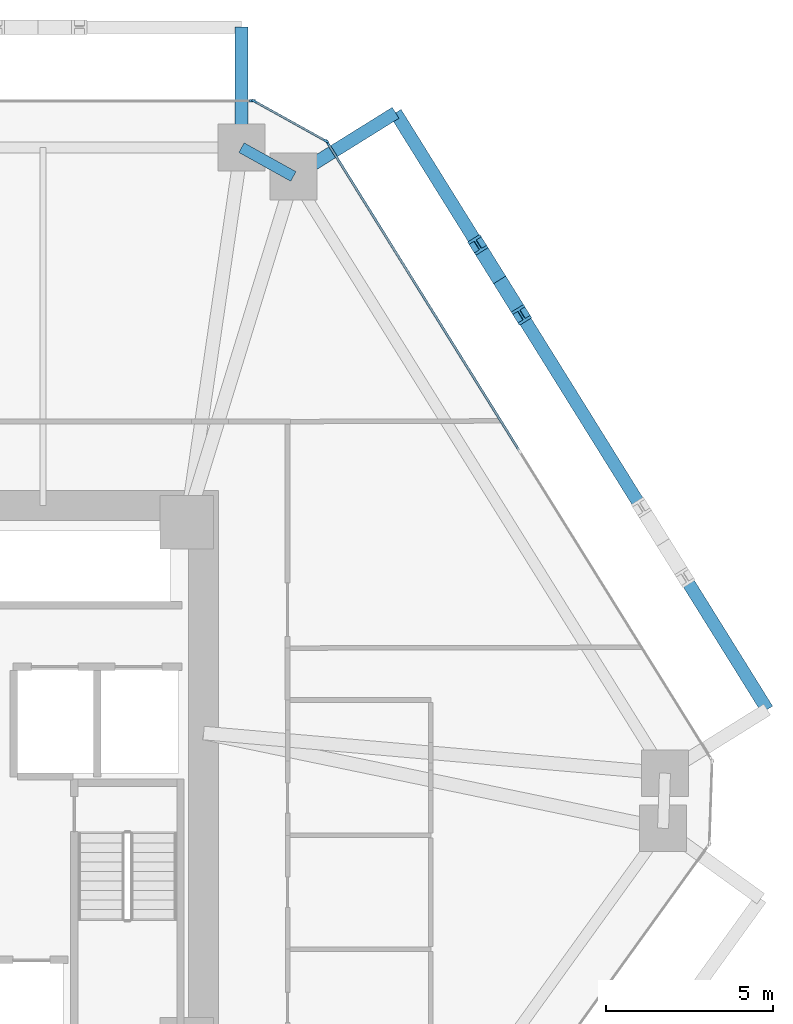
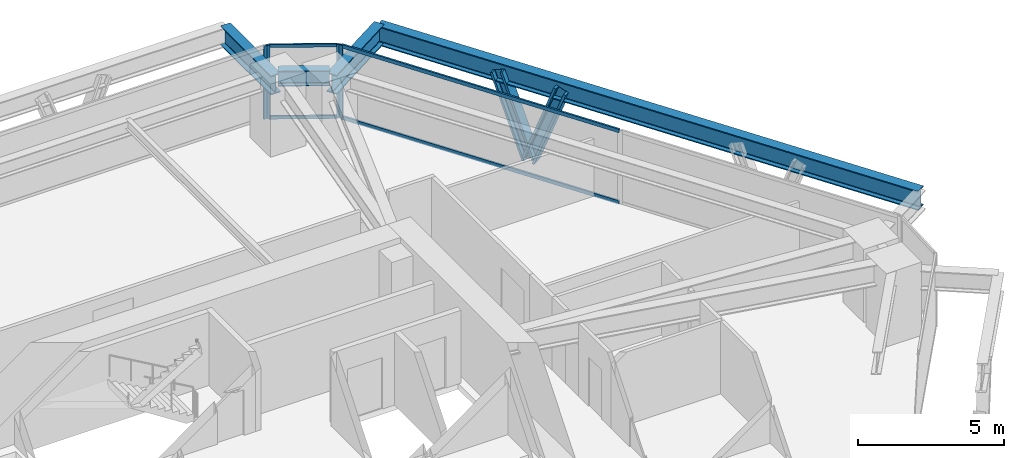
# One storey, part 9 of 14: 10 members, 4 beams, 3 elements without a shape of their own.
"""IFC4 building model written with IfcOpenShell, lengths in metres."""

from ifc_helpers import new_model, si_unit, direction, frame, origin, origin_2d, place, context, subcontext, project, spatial, rectangle, i_section, extrude, source, transform, mapped, material, layer, layer_set, material_profile, profile_set, type_object, type_shapes, element, aggregate, save


model = new_model("IFC4")

# Units and contexts
model_context = context("Model", 3, precision=1e-05, world=origin(), true_north=direction((0.0, 1.0)))
body_context = subcontext(model_context, "Body", "Model", "MODEL_VIEW")
ifc_project = project(units=[si_unit("LENGTHUNIT", "METRE"), si_unit("AREAUNIT", "SQUARE_METRE"), si_unit("VOLUMEUNIT", "CUBIC_METRE"), si_unit("PLANEANGLEUNIT", "RADIAN"), si_unit("MASSUNIT", "GRAM", prefix="KILO")], contexts=[model_context])

# Site, building, storey
site_placement = place(None, origin())
site = spatial("IfcSite", under=ifc_project, at=site_placement, CompositionType="ELEMENT")
building_placement = place(site_placement, origin())
building = spatial("IfcBuilding", under=site, at=building_placement, Name="Durnholm Broadcast Tower", CompositionType="ELEMENT")
storey_placement = place(building_placement, frame((0.0, 0.0, 68.699951171875)))
storey = spatial("IfcBuildingStorey", under=building, at=storey_placement, Name="L17", CompositionType="ELEMENT", Elevation=68.699951171875)

# Beams
ifc_material_1 = material(Name="Steel ASTM A992 Grade 50", Category="steel")
ifc_material_profile_1 = material_profile(ifc_material_1, i_section(OverallWidth=0.3291015625, OverallDepth=0.635009765625, WebThickness=0.017822265625, FlangeThickness=0.031005859375, FilletRadius=0.02783203125, at=origin_2d()), Name="W24X162")
ifc_profile_set_1 = profile_set([ifc_material_profile_1], Name="Steel ASTM A992 Grade 50")
beam_type_1 = type_object("IfcBeamType", Name="STL-SP-W24X162", PredefinedType="SPANDREL", material=ifc_profile_set_1)
shared_shape_1 = source(origin(), body_context, "Body", "SweptSolid", [
    extrude(i_section(OverallWidth=0.3291015625, OverallDepth=0.635009765625, WebThickness=0.017822265625, FlangeThickness=0.031005859375, FilletRadius=0.02783203125, at=origin_2d()), origin(), (0.0, 0.0, 1.0), 1.774658203125),
])
type_shapes(beam_type_1, [shared_shape_1])
beam_1_placement = place(storey_placement, frame((11.43115234375, 19.0, 2.7275390625), z_axis=(0.874248107979, -0.485479397806, 0.0), x_axis=(0.485479397806, 0.874248107979, 0.0)))
element("IfcBeam", 1, at=beam_1_placement, inside=storey, type_object=beam_type_1, Name="L17 perimeter spandrel girder 06", PredefinedType="SPANDREL", context=body_context, shape_type="MappedRepresentation", body=[
    mapped(shared_shape_1, transform((0.0, 0.0, 0.0), x_axis=(1.0, 0.0, 0.0), y_axis=(0.0, 1.0, 0.0), z_axis=(0.0, 0.0, 1.0), scale=1.0)),
])
ifc_material_profile_2 = material_profile(ifc_material_1, i_section(OverallWidth=0.385009765625, OverallDepth=0.802978515625, WebThickness=0.023681640625, FlangeThickness=0.0419921875, FilletRadius=0.032958984375, at=origin_2d()), Name="W30X261")
ifc_profile_set_2 = profile_set([ifc_material_profile_2], Name="Steel ASTM A992 Grade 50")
beam_type_2 = type_object("IfcBeamType", Name="BM-EXO-TIE", PredefinedType="USERDEFINED", material=ifc_profile_set_2)
shared_shape_2 = source(origin(), body_context, "Body", "SweptSolid", [
    extrude(i_section(OverallWidth=0.385009765625, OverallDepth=0.802978515625, WebThickness=0.023681640625, FlangeThickness=0.0419921875, FilletRadius=0.032958984375, at=origin_2d()), origin(), (0.0, 0.0, 1.0), 3.4560546875),
])
for number, where, z_axis, x_axis, name in (
    (2, (13.10498046875, 18.214599609375, 2.30859375), (0.848854443891, 0.528626648105, 0.0), (-0.528626648105, 0.848854443891, 0.0), "L17 exoskeleton stand-off tie bracket F3.2"),
    (3, (11.43115234375, 19.14404296875, 2.30859375), (0.0, 1.0, 0.0), (-1.0, 0.0, 0.0), "L17 exoskeleton stand-off tie bracket F4.1"),
):
    element("IfcBeam", number, at=place(storey_placement, frame(where, z_axis=z_axis, x_axis=x_axis)), inside=storey, type_object=beam_type_2, Name=name, ObjectType="GIRDER", PredefinedType="USERDEFINED", context=body_context, shape_type="MappedRepresentation", body=[
        mapped(shared_shape_2, transform((0.0, 0.0, 0.0), x_axis=(1.0, 0.0, 0.0), y_axis=(0.0, 1.0, 0.0), z_axis=(0.0, 0.0, 1.0), scale=1.0)),
    ])
shared_shape_3 = source(origin(), body_context, "Body", "SweptSolid", [
    extrude(i_section(OverallWidth=0.385009765625, OverallDepth=0.802978515625, WebThickness=0.023681640625, FlangeThickness=0.0419921875, FilletRadius=0.032958984375, at=origin_2d()), origin(), (0.0, 0.0, 1.0), 21.0146484375),
])
type_shapes(beam_type_2, [shared_shape_2, shared_shape_3])
beam_2_placement = place(storey_placement, frame((27.146728515625, 2.20263671875, 2.30859375), z_axis=(-0.528590518575, 0.848876942597, 0.0), x_axis=(-0.848876942597, -0.528590518575, 0.0)))
element("IfcBeam", 4, at=beam_2_placement, inside=storey, type_object=beam_type_2, Name="L17 exoskeleton collector spandrel F3", PredefinedType="SPANDREL", context=body_context, shape_type="MappedRepresentation", body=[
    mapped(shared_shape_3, transform((0.0, 0.0, 0.0), x_axis=(1.0, 0.0, 0.0), y_axis=(0.0, 1.0, 0.0), z_axis=(0.0, 0.0, 1.0), scale=1.0)),
])

# Members
ifc_material_2 = material(Name="Steel ASTM A913 Grade 65", Category="steel")
ifc_material_profile_3 = material_profile(ifc_material_2, i_section(OverallWidth=0.43212890625, OverallDepth=0.497802734375, WebThickness=0.0556640625, FlangeThickness=0.0888671875, FilletRadius=0.030517578125, at=origin_2d()), Name="W14X500")
ifc_profile_set_3 = profile_set([ifc_material_profile_3], Name="Steel ASTM A913 Grade 65")
member_type_1 = type_object("IfcMemberType", Name="STL-DG-W14X500", PredefinedType="BRACE", material=ifc_profile_set_3)
shared_shape_4 = source(origin(), body_context, "Body", "SweptSolid", [
    extrude(i_section(OverallWidth=0.43212890625, OverallDepth=0.497802734375, WebThickness=0.0556640625, FlangeThickness=0.0888671875, FilletRadius=0.030517578125, at=origin_2d()), origin(), (0.0, 0.0, 1.0), 3.523193359375),
])
type_shapes(member_type_1, [shared_shape_4])
for number, where, z_axis, x_axis, name in (
    (5, (19.14892578125, 15.04638671875, -0.991455078125), (0.185090383068, -0.297281072018, 0.936677913861), (0.848908635391, 0.528539618911, 0.0), "L17 stand-off diagrid brace F3.D2.1"),
    (6, (19.14892578125, 15.04638671875, -0.991455078125), (-0.185090383068, 0.297281072018, 0.936677913861), (-0.848908635391, -0.528539618911, 0.0), "L17 stand-off diagrid brace F3.D2.2"),
):
    element("IfcMember", number, at=place(storey_placement, frame(where, z_axis=z_axis, x_axis=x_axis)), inside=storey, type_object=member_type_1, Name=name, PredefinedType="BRACE", context=body_context, shape_type="MappedRepresentation", body=[
        mapped(shared_shape_4, transform((0.0, 0.0, 0.0), x_axis=(1.0, 0.0, 0.0), y_axis=(0.0, 1.0, 0.0), z_axis=(0.0, 0.0, 1.0), scale=1.0)),
    ])

# Curtain wall, members
ifc_material_3 = material(Name="Aluminium and Solar Control IGU", Category="aluminium")
ifc_layer_1 = layer(ifc_material_3, 0.1650390625)
ifc_layer_set_1 = layer_set([ifc_layer_1], Name="Aluminium and Solar Control IGU")
curtain_wall_type_1 = type_object("IfcCurtainWallType", Name="CW-SYS-5", PredefinedType="NOTDEFINED", material=ifc_layer_set_1)
curtain_wall_1_placement = place(storey_placement, origin())
curtain_wall_1 = element("IfcCurtainWall", 7, at=curtain_wall_1_placement, inside=storey, type_object=curtain_wall_type_1, Name="L17 curtain wall CW-CORNER CW-L17-CRN-05", PredefinedType="NOTDEFINED")
ifc_material_4 = material(Name="Aluminium 6063-T6", Category="aluminium")
ifc_material_profile_4 = material_profile(ifc_material_4, rectangle(XDim=0.06494140625, YDim=0.1650390625, at=origin_2d()), Name="CWM65X165")
ifc_profile_set_4 = profile_set([ifc_material_profile_4], Name="Aluminium 6063-T6")
member_type_2 = type_object("IfcMemberType", Name="CW-SYS-5-MUL", PredefinedType="MULLION", material=ifc_profile_set_4)
shared_shape_5 = source(origin(), body_context, "Body", "SweptSolid", [
    extrude(rectangle(XDim=0.06494140625, YDim=0.1650390625, at=origin_2d()), origin(), (0.0, 0.0, 1.0), 3.06005859375),
])
type_shapes(member_type_2, [shared_shape_5])
member_1_placement = place(storey_placement, frame((11.822265625, 20.38427734375, 0.0), z_axis=(0.0, 0.0, 1.0), x_axis=(0.485483299359, 0.874245941394, 0.0)))
member_1 = element("IfcMember", 8, at=member_1_placement, type_object=member_type_2, Name="CW-CORNER mullion 1", PredefinedType="MULLION", context=body_context, shape_type="MappedRepresentation", body=[
    mapped(shared_shape_5, transform((0.0, 0.0, 0.0), x_axis=(1.0, 0.0, 0.0), y_axis=(0.0, 1.0, 0.0), z_axis=(0.0, 0.0, 1.0), scale=1.0)),
])
member_2_placement = place(storey_placement, frame((13.950927734375, 19.2021484375, 0.0), z_axis=(0.0, 0.0, 1.0), x_axis=(0.485483299359, 0.874245941394, 0.0)))
member_2 = element("IfcMember", 9, at=member_2_placement, type_object=member_type_2, Name="CW-CORNER mullion 2", PredefinedType="MULLION", context=body_context, shape_type="MappedRepresentation", body=[
    mapped(shared_shape_5, transform((0.0, 0.0, 0.0), x_axis=(1.0, 0.0, 0.0), y_axis=(0.0, 1.0, 0.0), z_axis=(0.0, 0.0, 1.0), scale=1.0)),
])
ifc_material_profile_5 = material_profile(ifc_material_4, rectangle(XDim=0.06494140625, YDim=0.1298828125, at=origin_2d()), Name="CWT65X130")
ifc_profile_set_5 = profile_set([ifc_material_profile_5], Name="Aluminium 6063-T6")
member_type_3 = type_object("IfcMemberType", Name="CW-SYS-5-TRN", PredefinedType="USERDEFINED", material=ifc_profile_set_5)
shared_shape_6 = source(origin(), body_context, "Body", "SweptSolid", [
    extrude(rectangle(XDim=0.06494140625, YDim=0.1298828125, at=origin_2d()), origin(), (0.0, 0.0, 1.0), 2.3701171875),
])
type_shapes(member_type_3, [shared_shape_6])
member_3_placement = place(storey_placement, frame((11.8505859375, 20.368408203125, 0.032470703125), z_axis=(0.874244723151, -0.485485493132, 0.0), x_axis=(0.485485493132, 0.874244723151, 0.0)))
member_3 = element("IfcMember", 10, at=member_3_placement, type_object=member_type_3, Name="CW-CORNER transom 1.1", ObjectType="TRANSOM", PredefinedType="USERDEFINED", context=body_context, shape_type="MappedRepresentation", body=[
    mapped(shared_shape_6, transform((0.0, 0.0, 0.0), x_axis=(1.0, 0.0, 0.0), y_axis=(0.0, 1.0, 0.0), z_axis=(0.0, 0.0, 1.0), scale=1.0)),
])
member_4_placement = place(storey_placement, frame((11.8505859375, 20.368408203125, 3.027587890625), z_axis=(0.874244723151, -0.485485493132, 0.0), x_axis=(0.485485493132, 0.874244723151, 0.0)))
member_4 = element("IfcMember", 11, at=member_4_placement, type_object=member_type_3, Name="CW-CORNER transom 1.2", ObjectType="TRANSOM", PredefinedType="USERDEFINED", context=body_context, shape_type="MappedRepresentation", body=[
    mapped(shared_shape_6, transform((0.0, 0.0, 0.0), x_axis=(1.0, 0.0, 0.0), y_axis=(0.0, 1.0, 0.0), z_axis=(0.0, 0.0, 1.0), scale=1.0)),
])
aggregate(curtain_wall_1, [member_1, member_2, member_3, member_4])

# Curtain wall, member
ifc_layer_2 = layer(ifc_material_3, 0.18994140625)
ifc_layer_set_2 = layer_set([ifc_layer_2], Name="Aluminium and Solar Control IGU")
curtain_wall_type_2 = type_object("IfcCurtainWallType", Name="CW-SYS-3", PredefinedType="NOTDEFINED", material=ifc_layer_set_2)
curtain_wall_2_placement = place(storey_placement, origin())
curtain_wall_2 = element("IfcCurtainWall", 12, at=curtain_wall_2_placement, inside=storey, type_object=curtain_wall_type_2, Name="L17 curtain wall CW-Z12-VIS CW-L17-F04", PredefinedType="NOTDEFINED")
ifc_material_profile_6 = material_profile(ifc_material_4, rectangle(XDim=0.070068359375, YDim=0.18994140625, at=origin_2d()), Name="CWM70X190")
ifc_profile_set_6 = profile_set([ifc_material_profile_6], Name="Aluminium 6063-T6")
member_type_4 = type_object("IfcMemberType", Name="CW-SYS-3-MUL", PredefinedType="MULLION", material=ifc_profile_set_6)
shared_shape_7 = source(origin(), body_context, "Body", "SweptSolid", [
    extrude(rectangle(XDim=0.070068359375, YDim=0.18994140625, at=origin_2d()), origin(), (0.0, 0.0, 1.0), 3.06005859375),
])
type_shapes(member_type_4, [shared_shape_7])
member_5_placement = place(storey_placement, frame((11.7587890625, 20.39990234375, 0.0), z_axis=(0.0, 0.0, 1.0), x_axis=(0.0, 1.0, 0.0)))
member_5 = element("IfcMember", 13, at=member_5_placement, type_object=member_type_4, Name="CW-Z12-VIS mullion 3", PredefinedType="MULLION", context=body_context, shape_type="MappedRepresentation", body=[
    mapped(shared_shape_7, transform((0.0, 0.0, 0.0), x_axis=(1.0, 0.0, 0.0), y_axis=(0.0, 1.0, 0.0), z_axis=(0.0, 0.0, 1.0), scale=1.0)),
])
aggregate(curtain_wall_2, [member_5])

# Curtain wall, members
curtain_wall_3_placement = place(storey_placement, origin())
curtain_wall_3 = element("IfcCurtainWall", 14, at=curtain_wall_3_placement, inside=storey, type_object=curtain_wall_type_2, Name="L17 curtain wall CW-Z12-VIS CW-L17-F06", PredefinedType="NOTDEFINED")
member_6_placement = place(storey_placement, frame((13.997802734375, 19.156494140625, 0.0), z_axis=(0.0, 0.0, 1.0), x_axis=(0.848875785503, 0.528592376777, 0.0)))
member_6 = element("IfcMember", 15, at=member_6_placement, type_object=member_type_4, Name="CW-Z12-VIS mullion 1", PredefinedType="MULLION", context=body_context, shape_type="MappedRepresentation", body=[
    mapped(shared_shape_7, transform((0.0, 0.0, 0.0), x_axis=(1.0, 0.0, 0.0), y_axis=(0.0, 1.0, 0.0), z_axis=(0.0, 0.0, 1.0), scale=1.0)),
])
ifc_material_profile_7 = material_profile(ifc_material_4, rectangle(XDim=0.070068359375, YDim=0.14990234375, at=origin_2d()), Name="CWT70X150")
ifc_profile_set_7 = profile_set([ifc_material_profile_7], Name="Aluminium 6063-T6")
member_type_5 = type_object("IfcMemberType", Name="CW-SYS-3-TRN", PredefinedType="USERDEFINED", material=ifc_profile_set_7)
shared_shape_8 = source(origin(), body_context, "Body", "SweptSolid", [
    extrude(rectangle(XDim=0.070068359375, YDim=0.14990234375, at=origin_2d()), origin(), (0.0, 0.0, 1.0), 10.796630859375),
])
type_shapes(member_type_5, [shared_shape_8])
member_7_placement = place(storey_placement, frame((14.016357421875, 19.126953125, 0.03515625), z_axis=(0.528591657678, -0.848876233283, 0.0), x_axis=(0.848876233283, 0.528591657678, 0.0)))
member_7 = element("IfcMember", 16, at=member_7_placement, type_object=member_type_5, Name="CW-Z12-VIS transom 1.1", ObjectType="TRANSOM", PredefinedType="USERDEFINED", context=body_context, shape_type="MappedRepresentation", body=[
    mapped(shared_shape_8, transform((0.0, 0.0, 0.0), x_axis=(1.0, 0.0, 0.0), y_axis=(0.0, 1.0, 0.0), z_axis=(0.0, 0.0, 1.0), scale=1.0)),
])
member_8_placement = place(storey_placement, frame((14.016357421875, 19.126953125, 3.025146484375), z_axis=(0.528591657678, -0.848876233283, 0.0), x_axis=(0.848876233283, 0.528591657678, 0.0)))
member_8 = element("IfcMember", 17, at=member_8_placement, type_object=member_type_5, Name="CW-Z12-VIS transom 1.2", ObjectType="TRANSOM", PredefinedType="USERDEFINED", context=body_context, shape_type="MappedRepresentation", body=[
    mapped(shared_shape_8, transform((0.0, 0.0, 0.0), x_axis=(1.0, 0.0, 0.0), y_axis=(0.0, 1.0, 0.0), z_axis=(0.0, 0.0, 1.0), scale=1.0)),
])
aggregate(curtain_wall_3, [member_6, member_7, member_8])

save(model, "model.ifc")
